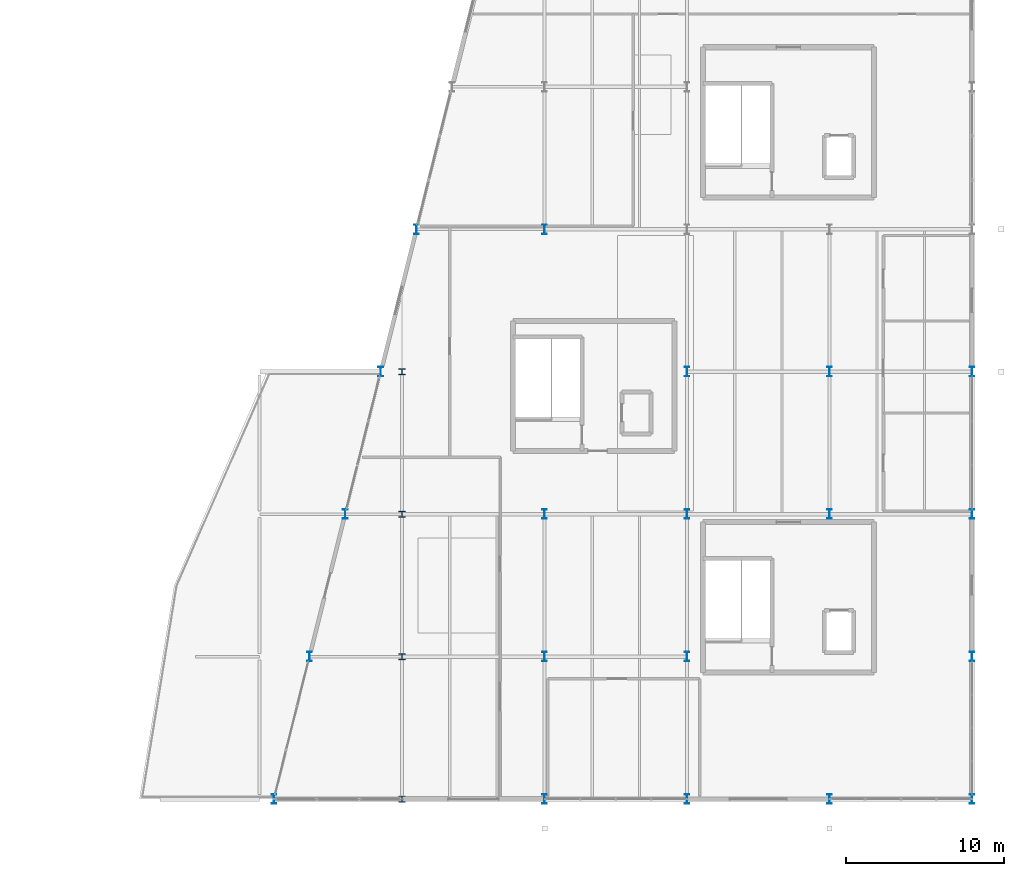
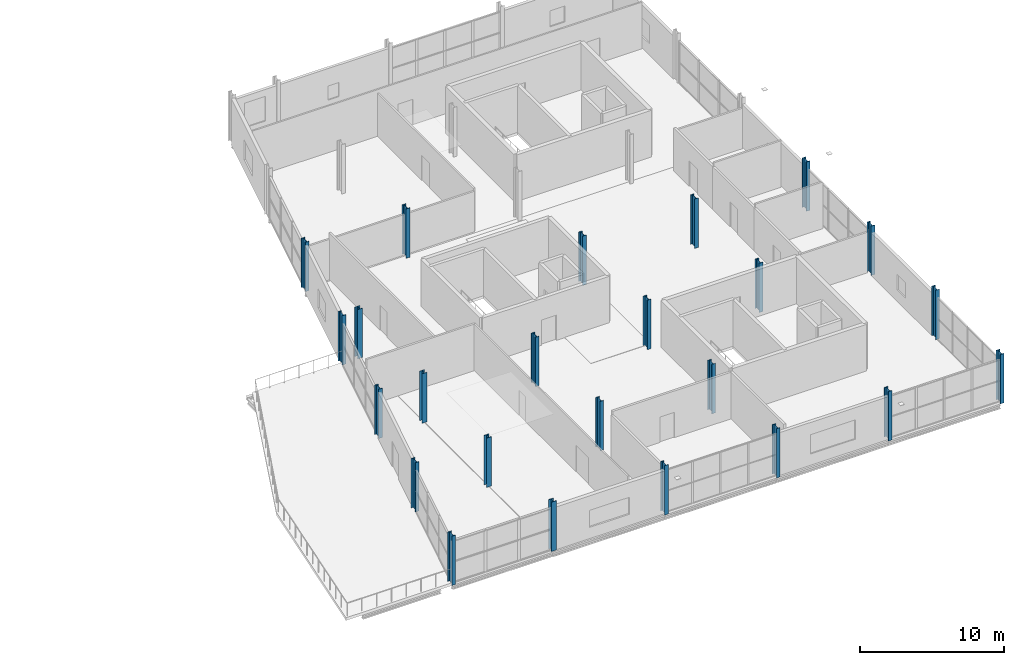
# One storey, part 1 of 44: 24 columns.
"""IFC4 building model written with IfcOpenShell, lengths in metres."""

from ifc_helpers import new_model, si_unit, direction, frame, origin, origin_2d, place, context, subcontext, project, spatial, i_section, extrude, material, material_profile, profile_set, type_object, element, save


model = new_model("IFC4")

# Units and contexts
model_context = context("Model", 3, precision=1e-05, world=origin(), true_north=direction((0.0, 1.0)))
body_context = subcontext(model_context, "Body", "Model", "MODEL_VIEW")
ifc_project = project(units=[si_unit("LENGTHUNIT", "METRE"), si_unit("AREAUNIT", "SQUARE_METRE"), si_unit("VOLUMEUNIT", "CUBIC_METRE"), si_unit("PLANEANGLEUNIT", "RADIAN"), si_unit("MASSUNIT", "GRAM", prefix="KILO")], contexts=[model_context])

# Site, building, storey
site_placement = place(None, origin())
site = spatial("IfcSite", under=ifc_project, at=site_placement, CompositionType="ELEMENT")
building_placement = place(site_placement, origin())
building = spatial("IfcBuilding", under=site, at=building_placement, Name="Deido Ridge Mobility Hub", CompositionType="ELEMENT")
storey_placement = place(building_placement, frame((0.0, 0.0, 25.199951171875)))
storey = spatial("IfcBuildingStorey", under=building, at=storey_placement, Name="L06", CompositionType="ELEMENT", Elevation=25.199951171875)

# Columns
ifc_material = material(Name="Steel S355J2 EN 10025-2", Category="steel")
ifc_material_profile_1 = material_profile(ifc_material, i_section(OverallWidth=0.39892578125, OverallDepth=0.39306640625, WebThickness=0.017578125, FlangeThickness=0.028076171875, FilletRadius=0.014892578125, at=origin_2d()), Name="HD 400x287")
ifc_profile_set_1 = profile_set([ifc_material_profile_1], Name="Steel S355J2 EN 10025-2")
column_type_1 = type_object("IfcColumnType", Name="COL-HD400-287", PredefinedType="COLUMN", material=ifc_profile_set_1)
for number, where, z_axis, x_axis, name in (
    (1, (144.0, 0.0, 0.0), (0.0, 0.0, 1.0), (1.0, 0.0, 0.0), "Structural column C2"),
    (2, (144.0, 9.0, 0.0), (0.0, 0.0, 1.0), (1.0, 0.0, 0.0), "Structural column C2"),
    (3, (144.0, 18.0, 0.0), (0.0, 0.0, 1.0), (1.0, 0.0, 0.0), "Structural column C2"),
    (4, (144.0, 27.0, 0.0), (0.0, 0.0, 1.0), (1.0, 0.0, 0.0), "Structural column C2"),
):
    element("IfcColumn", number, at=place(storey_placement, frame(where, z_axis=z_axis, x_axis=x_axis)), inside=storey, type_object=column_type_1, Name=name, PredefinedType="COLUMN", context=body_context, shape_type="SweptSolid", body=[
        extrude(i_section(OverallWidth=0.39892578125, OverallDepth=0.39306640625, WebThickness=0.017578125, FlangeThickness=0.028076171875, FilletRadius=0.014892578125, at=origin_2d()), origin(), (0.0, 0.0, 1.0), 4.199951171875),
    ])
ifc_material_profile_2 = material_profile(ifc_material, i_section(OverallWidth=0.300048828125, OverallDepth=0.60009765625, WebThickness=0.015380859375, FlangeThickness=0.030029296875, FilletRadius=0.027099609375, at=origin_2d()), Name="HEB 600")
ifc_profile_set_2 = profile_set([ifc_material_profile_2], Name="Steel S355J2 EN 10025-2")
column_type_2 = type_object("IfcColumnType", Name="COL-HEB600", PredefinedType="COLUMN", material=ifc_profile_set_2)
for number, where, z_axis, x_axis, name in (
    (5, (135.89990234375, 0.0, 0.0), (0.0, 0.0, 1.0), (1.0, 0.0, 0.0), "Structural column C4"),
    (6, (153.0, 0.0, 0.0), (0.0, 0.0, 1.0), (1.0, 0.0, 0.0), "Structural column C4"),
    (7, (162.0, 0.0, 0.0), (0.0, 0.0, 1.0), (1.0, 0.0, 0.0), "Structural column C4"),
    (8, (171.0, 0.0, 0.0), (0.0, 0.0, 1.0), (1.0, 0.0, 0.0), "Structural column C4"),
    (9, (180.0, 0.0, 0.0), (0.0, 0.0, 1.0), (1.0, 0.0, 0.0), "Structural column C4"),
    (10, (138.14990234375, 9.0, 0.0), (0.0, 0.0, 1.0), (1.0, 0.0, 0.0), "Structural column C4"),
    (11, (153.0, 9.0, 0.0), (0.0, 0.0, 1.0), (1.0, 0.0, 0.0), "Structural column C4"),
    (12, (162.0, 9.0, 0.0), (0.0, 0.0, 1.0), (1.0, 0.0, 0.0), "Structural column C4"),
    (13, (180.0, 9.0, 0.0), (0.0, 0.0, 1.0), (1.0, 0.0, 0.0), "Structural column C4"),
    (14, (140.39990234375, 18.0, 0.0), (0.0, 0.0, 1.0), (1.0, 0.0, 0.0), "Structural column C4"),
    (15, (153.0, 18.0, 0.0), (0.0, 0.0, 1.0), (1.0, 0.0, 0.0), "Structural column C4"),
    (16, (162.0, 18.0, 0.0), (0.0, 0.0, 1.0), (1.0, 0.0, 0.0), "Structural column C4"),
    (17, (171.0, 18.0, 0.0), (0.0, 0.0, 1.0), (1.0, 0.0, 0.0), "Structural column C4"),
    (18, (180.0, 18.0, 0.0), (0.0, 0.0, 1.0), (1.0, 0.0, 0.0), "Structural column C4"),
    (19, (142.64990234375, 27.0, 0.0), (0.0, 0.0, 1.0), (1.0, 0.0, 0.0), "Structural column C4"),
    (20, (162.0, 27.0, 0.0), (0.0, 0.0, 1.0), (1.0, 0.0, 0.0), "Structural column C4"),
    (21, (171.0, 27.0, 0.0), (0.0, 0.0, 1.0), (1.0, 0.0, 0.0), "Structural column C4"),
    (22, (180.0, 27.0, 0.0), (0.0, 0.0, 1.0), (1.0, 0.0, 0.0), "Structural column C4"),
    (23, (144.89990234375, 36.0, 0.0), (0.0, 0.0, 1.0), (1.0, 0.0, 0.0), "Structural column C4"),
    (24, (153.0, 36.0, 0.0), (0.0, 0.0, 1.0), (1.0, 0.0, 0.0), "Structural column C4"),
):
    element("IfcColumn", number, at=place(storey_placement, frame(where, z_axis=z_axis, x_axis=x_axis)), inside=storey, type_object=column_type_2, Name=name, PredefinedType="COLUMN", context=body_context, shape_type="SweptSolid", body=[
        extrude(i_section(OverallWidth=0.300048828125, OverallDepth=0.60009765625, WebThickness=0.015380859375, FlangeThickness=0.030029296875, FilletRadius=0.027099609375, at=origin_2d()), origin(), (0.0, 0.0, 1.0), 4.199951171875),
    ])

save(model, "model.ifc")
